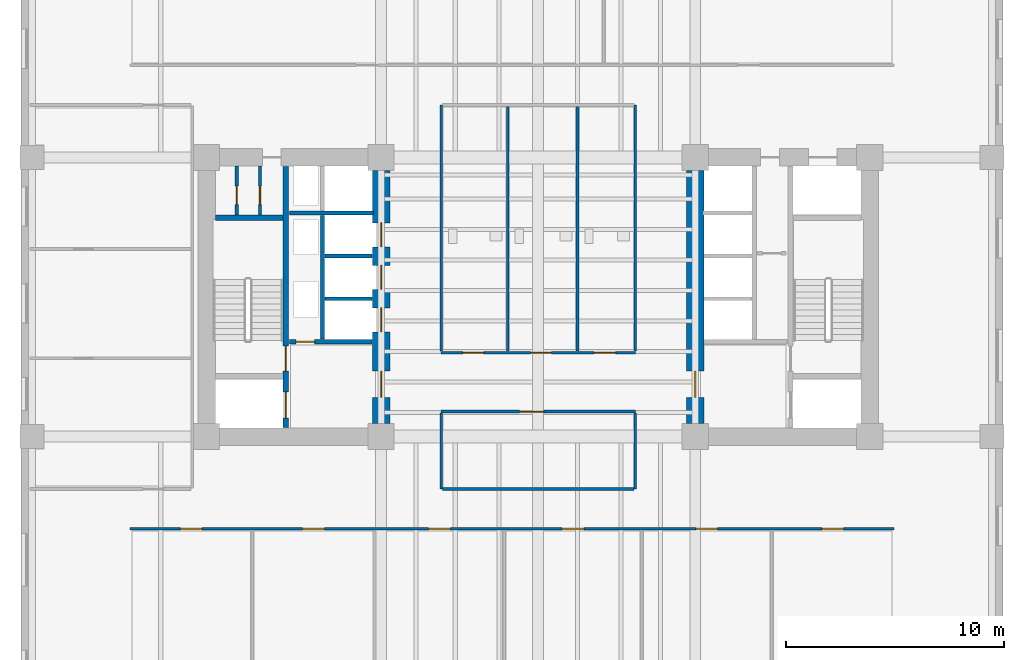
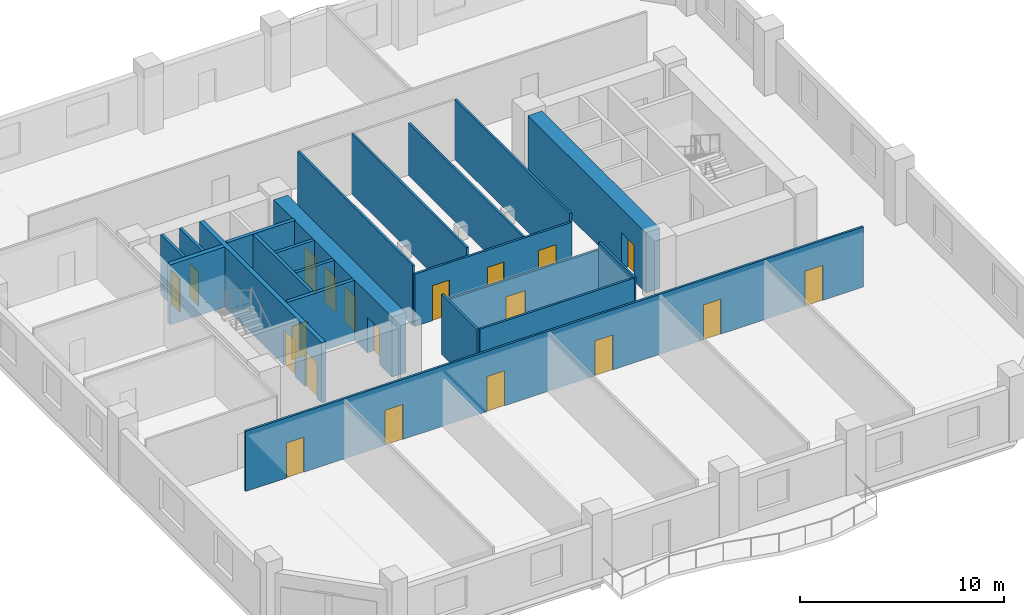
# One storey, part 3 of 10: 21 walls, 20 doors, 20 openings.
"""IFC4 building model written with IfcOpenShell, lengths in metres."""

from ifc_helpers import new_model, si_unit, direction, frame, frame_2d, origin, place, context, subcontext, project, spatial, rectangle, extrude, material, layer, layer_set, type_object, element, fill, save


model = new_model("IFC4")

# Units and contexts
model_context = context("Model", 3, precision=1e-05, world=origin(), true_north=direction((0.0, 1.0)))
body_context = subcontext(model_context, "Body", "Model", "MODEL_VIEW")
ifc_project = project(units=[si_unit("LENGTHUNIT", "METRE"), si_unit("AREAUNIT", "SQUARE_METRE"), si_unit("VOLUMEUNIT", "CUBIC_METRE"), si_unit("PLANEANGLEUNIT", "RADIAN"), si_unit("MASSUNIT", "GRAM", prefix="KILO")], contexts=[model_context])

# Site, building, storey
site_placement = place(None, origin())
site = spatial("IfcSite", under=ifc_project, at=site_placement, CompositionType="ELEMENT")
building_placement = place(site_placement, origin())
building = spatial("IfcBuilding", under=site, at=building_placement, Name="Kranthara Brick Stack", CompositionType="ELEMENT")
storey_placement = place(building_placement, frame((0.0, 0.0, 39.89990234375)))
storey = spatial("IfcBuildingStorey", under=building, at=storey_placement, Name="L09", CompositionType="ELEMENT", Elevation=39.89990234375)

# Wall, openings, doors
ifc_material_1 = material(Name="Concrete C50/60", Category="concrete")
ifc_layer_1 = layer(ifc_material_1, 0.25)
ifc_layer_set_1 = layer_set([ifc_layer_1], Name="Concrete C50/60")
wall_type_1 = type_object("IfcWallType", Name="WL-CORE-250", PredefinedType="SHEAR", material=ifc_layer_set_1)
wall_1_placement = place(storey_placement, frame((16.43505859375, 21.2099609375, 0.0), z_axis=(0.0, 0.0, 1.0), x_axis=(0.0, 1.0, 0.0)))
wall_1 = element("IfcWall", 1, at=wall_1_placement, inside=storey, type_object=wall_type_1, Name="L09 West Core Stair Bearing Spine Wall", PredefinedType="SHEAR", context=body_context, shape_type="SweptSolid", body=[
    extrude(rectangle(XDim=11.97998046875, YDim=0.25, at=frame_2d((5.989990234375, 0.0))), origin(), (0.0, 0.0, 1.0), 3.60009765625),
])
opening_1_placement = place(wall_1_placement, frame((0.43994140625, 0.0, 0.0)))
opening_1 = element("IfcOpeningElement", 2, at=opening_1_placement, cuts=wall_1, Name="Opening LD01", PredefinedType="OPENING", context=body_context, shape_type="SweptSolid", body=[
    extrude(rectangle(XDim=1.199951171875, YDim=2.14990234375, at=frame_2d((0.60009765625, 1.074951171875))), frame((0.0, 0.135009765625, 0.0), z_axis=(0.0, -1.0, 0.0), x_axis=(1.0, 0.0, 0.0)), (0.0, 0.0, 1.0), 0.27001953125),
])
opening_2_placement = place(wall_1_placement, frame((2.590087890625, 0.0, 0.0)))
opening_2 = element("IfcOpeningElement", 3, at=opening_2_placement, cuts=wall_1, Name="Opening D05", PredefinedType="OPENING", context=body_context, shape_type="SweptSolid", body=[
    extrude(rectangle(XDim=1.14990234375, YDim=2.14990234375, at=frame_2d((0.574951171875, 1.074951171875))), frame((0.0, 0.135009765625, 0.0), z_axis=(0.0, -1.0, 0.0), x_axis=(1.0, 0.0, 0.0)), (0.0, 0.0, 1.0), 0.27001953125),
])
ifc_material_2 = material(Name="Stainless steel sliding landing door", Category="steel")
door_type_1 = type_object("IfcDoorType", Name="DR-LD-FF1200", OperationType="DOUBLE_DOOR_SLIDING", PredefinedType="DOOR", material=ifc_material_2)
door_1_placement = place(opening_1_placement, origin())
door_1 = element("IfcDoor", 4, at=door_1_placement, inside=storey, type_object=door_type_1, Name="L09 Firefighting Lift FF-01 Landing Door", OperationType="DOUBLE_DOOR_SLIDING", OverallHeight=2.14990234375, OverallWidth=1.199951171875, PredefinedType="DOOR", context=body_context, shape_type="SweptSolid", body=[
    extrude(rectangle(XDim=1.199951171875, YDim=2.14990234375, at=frame_2d((0.60009765625, 1.074951171875))), frame((0.0, 0.02490234375, 0.0), z_axis=(0.0, -1.0, 0.0), x_axis=(1.0, 0.0, 0.0)), (0.0, 0.0, 1.0), 0.050048828125),
])
fill(opening_1, door_1)
ifc_material_3 = material(Name="Solid-core hardwood timber leaf in steel frame", Category="steel")
door_type_2 = type_object("IfcDoorType", Name="DR-ST-1150", OperationType="NOTDEFINED", PredefinedType="DOOR", material=ifc_material_3)
door_2_placement = place(opening_2_placement, origin())
door_2 = element("IfcDoor", 5, at=door_2_placement, inside=storey, type_object=door_type_2, Name="L09 Exit Stair ST01 Door", OperationType="SINGLE_SWING_RIGHT", OverallHeight=2.14990234375, OverallWidth=1.14990234375, PredefinedType="DOOR", context=body_context, shape_type="SweptSolid", body=[
    extrude(rectangle(XDim=1.14990234375, YDim=2.14990234375, at=frame_2d((0.574951171875, 1.074951171875))), frame((0.0, 0.02490234375, 0.0), z_axis=(0.0, -1.0, 0.0), x_axis=(1.0, 0.0, 0.0)), (0.0, 0.0, 1.0), 0.050048828125),
])
fill(opening_2, door_2)

# Wall
wall_2_placement = place(storey_placement, frame((13.2099609375, 30.830078125, 0.0), z_axis=(0.0, 0.0, 1.0), x_axis=(1.0, 0.0, 0.0)))
element("IfcWall", 6, at=wall_2_placement, inside=storey, type_object=wall_type_1, Name="L09 West Stairwell Bearing Wall WST", PredefinedType="SHEAR", context=body_context, shape_type="SweptSolid", body=[
    extrude(rectangle(XDim=3.10009765625, YDim=0.25, at=frame_2d((1.550048828125, 0.0))), origin(), (0.0, 0.0, 1.0), 3.60009765625),
])

# Wall, openings, doors
ifc_material_4 = material(Name="Concrete C70/85", Category="concrete")
ifc_layer_2 = layer(ifc_material_4, 0.800048828125)
ifc_layer_set_2 = layer_set([ifc_layer_2], Name="Concrete C70/85")
wall_type_2 = type_object("IfcWallType", Name="WL-CORE-800", PredefinedType="SHEAR", material=ifc_layer_set_2)
wall_3_placement = place(storey_placement, frame((20.800048828125, 21.405029296875, 0.0), z_axis=(0.0, 0.0, 1.0), x_axis=(0.0, 1.0, 0.0)))
wall_3 = element("IfcWall", 7, at=wall_3_placement, inside=storey, type_object=wall_type_2, Name="L09 West Core Shear Wall East", PredefinedType="SHEAR", context=body_context, shape_type="SweptSolid", body=[
    extrude(rectangle(XDim=11.590087890625, YDim=0.800048828125, at=frame_2d((5.794921875, 0.0))), origin(), (0.0, 0.0, 1.0), 3.60009765625),
])
opening_3_placement = place(wall_3_placement, frame((1.195068359375, 0.0, 0.0)))
opening_3 = element("IfcOpeningElement", 8, at=opening_3_placement, cuts=wall_3, Name="Opening D06", PredefinedType="OPENING", context=body_context, shape_type="SweptSolid", body=[
    extrude(rectangle(XDim=1.199951171875, YDim=2.14990234375, at=frame_2d((0.60009765625, 1.074951171875))), frame((0.0, 0.409912109375, 0.0), z_axis=(0.0, -1.0, 0.0), x_axis=(1.0, 0.0, 0.0)), (0.0, 0.0, 1.0), 0.820068359375),
])
opening_4_placement = place(wall_3_placement, frame((4.195068359375, 0.0, 0.0)))
opening_4 = element("IfcOpeningElement", 9, at=opening_4_placement, cuts=wall_3, Name="Opening LD02", PredefinedType="OPENING", context=body_context, shape_type="SweptSolid", body=[
    extrude(rectangle(XDim=1.10009765625, YDim=2.10009765625, at=frame_2d((0.550048828125, 1.050048828125))), frame((0.0, 0.409912109375, 0.0), z_axis=(0.0, -1.0, 0.0), x_axis=(1.0, 0.0, 0.0)), (0.0, 0.0, 1.0), 0.820068359375),
])
opening_5_placement = place(wall_3_placement, frame((6.14501953125, 0.0, 0.0)))
opening_5 = element("IfcOpeningElement", 10, at=opening_5_placement, cuts=wall_3, Name="Opening LD02", PredefinedType="OPENING", context=body_context, shape_type="SweptSolid", body=[
    extrude(rectangle(XDim=1.10009765625, YDim=2.10009765625, at=frame_2d((0.550048828125, 1.050048828125))), frame((0.0, 0.409912109375, 0.0), z_axis=(0.0, -1.0, 0.0), x_axis=(1.0, 0.0, 0.0)), (0.0, 0.0, 1.0), 0.820068359375),
])
opening_6_placement = place(wall_3_placement, frame((8.094970703125, 0.0, 0.0)))
opening_6 = element("IfcOpeningElement", 11, at=opening_6_placement, cuts=wall_3, Name="Opening LD02", PredefinedType="OPENING", context=body_context, shape_type="SweptSolid", body=[
    extrude(rectangle(XDim=1.10009765625, YDim=2.10009765625, at=frame_2d((0.550048828125, 1.050048828125))), frame((0.0, 0.409912109375, 0.0), z_axis=(0.0, -1.0, 0.0), x_axis=(1.0, 0.0, 0.0)), (0.0, 0.0, 1.0), 0.820068359375),
])
ifc_material_5 = material(Name="Solid-core hardwood timber leaf in steel frame", Category="steel")
door_type_3 = type_object("IfcDoorType", Name="DR-FFL-1200", OperationType="NOTDEFINED", PredefinedType="DOOR", material=ifc_material_5)
door_3_placement = place(opening_3_placement, origin())
door_3 = element("IfcDoor", 12, at=door_3_placement, inside=storey, type_object=door_type_3, Name="L09 West Firefighting Lobby Door", OperationType="SINGLE_SWING_LEFT", OverallHeight=2.14990234375, OverallWidth=1.199951171875, PredefinedType="DOOR", context=body_context, shape_type="SweptSolid", body=[
    extrude(rectangle(XDim=1.199951171875, YDim=2.14990234375, at=frame_2d((0.60009765625, 1.074951171875))), frame((0.0, 0.02490234375, 0.0), z_axis=(0.0, -1.0, 0.0), x_axis=(1.0, 0.0, 0.0)), (0.0, 0.0, 1.0), 0.050048828125),
])
fill(opening_3, door_3)
ifc_material_6 = material(Name="Stainless steel sliding landing door", Category="steel")
door_type_4 = type_object("IfcDoorType", Name="DR-LD-PL1100", OperationType="DOUBLE_DOOR_SLIDING", PredefinedType="DOOR", material=ifc_material_6)
door_4_placement = place(opening_4_placement, origin())
door_4 = element("IfcDoor", 13, at=door_4_placement, inside=storey, type_object=door_type_4, Name="L09 PL-01 Lift Landing Door", OperationType="DOUBLE_DOOR_SLIDING", OverallHeight=2.10009765625, OverallWidth=1.10009765625, PredefinedType="DOOR", context=body_context, shape_type="SweptSolid", body=[
    extrude(rectangle(XDim=1.10009765625, YDim=2.10009765625, at=frame_2d((0.550048828125, 1.050048828125))), frame((0.0, 0.02490234375, 0.0), z_axis=(0.0, -1.0, 0.0), x_axis=(1.0, 0.0, 0.0)), (0.0, 0.0, 1.0), 0.050048828125),
])
fill(opening_4, door_4)
door_5_placement = place(opening_5_placement, origin())
door_5 = element("IfcDoor", 14, at=door_5_placement, inside=storey, type_object=door_type_4, Name="L09 PL-02 Lift Landing Door", OperationType="DOUBLE_DOOR_SLIDING", OverallHeight=2.10009765625, OverallWidth=1.10009765625, PredefinedType="DOOR", context=body_context, shape_type="SweptSolid", body=[
    extrude(rectangle(XDim=1.10009765625, YDim=2.10009765625, at=frame_2d((0.550048828125, 1.050048828125))), frame((0.0, 0.02490234375, 0.0), z_axis=(0.0, -1.0, 0.0), x_axis=(1.0, 0.0, 0.0)), (0.0, 0.0, 1.0), 0.050048828125),
])
fill(opening_5, door_5)
door_6_placement = place(opening_6_placement, origin())
door_6 = element("IfcDoor", 15, at=door_6_placement, inside=storey, type_object=door_type_4, Name="L09 PL-03 Lift Landing Door", OperationType="DOUBLE_DOOR_SLIDING", OverallHeight=2.10009765625, OverallWidth=1.10009765625, PredefinedType="DOOR", context=body_context, shape_type="SweptSolid", body=[
    extrude(rectangle(XDim=1.10009765625, YDim=2.10009765625, at=frame_2d((0.550048828125, 1.050048828125))), frame((0.0, 0.02490234375, 0.0), z_axis=(0.0, -1.0, 0.0), x_axis=(1.0, 0.0, 0.0)), (0.0, 0.0, 1.0), 0.050048828125),
])
fill(opening_6, door_6)

# Wall, opening, door
wall_4_placement = place(storey_placement, frame((35.199951171875, 21.405029296875, 0.0), z_axis=(0.0, 0.0, 1.0), x_axis=(0.0, 1.0, 0.0)))
wall_4 = element("IfcWall", 16, at=wall_4_placement, inside=storey, type_object=wall_type_2, Name="L09 East Core Shear Wall West", PredefinedType="SHEAR", context=body_context, shape_type="SweptSolid", body=[
    extrude(rectangle(XDim=11.590087890625, YDim=0.800048828125, at=frame_2d((5.794921875, 0.0))), origin(), (0.0, 0.0, 1.0), 3.60009765625),
])
opening_7_placement = place(wall_4_placement, frame((1.195068359375, 0.0, 0.0)))
opening_7 = element("IfcOpeningElement", 17, at=opening_7_placement, cuts=wall_4, Name="Opening D06", PredefinedType="OPENING", context=body_context, shape_type="SweptSolid", body=[
    extrude(rectangle(XDim=1.199951171875, YDim=2.14990234375, at=frame_2d((0.60009765625, 1.074951171875))), frame((0.0, 0.409912109375, 0.0), z_axis=(0.0, -1.0, 0.0), x_axis=(1.0, 0.0, 0.0)), (0.0, 0.0, 1.0), 0.820068359375),
])
door_7_placement = place(opening_7_placement, origin())
door_7 = element("IfcDoor", 18, at=door_7_placement, inside=storey, type_object=door_type_3, Name="L09 East Firefighting Lobby Door", OperationType="SINGLE_SWING_RIGHT", OverallHeight=2.14990234375, OverallWidth=1.199951171875, PredefinedType="DOOR", context=body_context, shape_type="SweptSolid", body=[
    extrude(rectangle(XDim=1.199951171875, YDim=2.14990234375, at=frame_2d((0.60009765625, 1.074951171875))), frame((0.0, 0.02490234375, 0.0), z_axis=(0.0, -1.0, 0.0), x_axis=(1.0, 0.0, 0.0)), (0.0, 0.0, 1.0), 0.050048828125),
])
fill(opening_7, door_7)

# Wall, openings, doors
ifc_material_7 = material(Name="Acoustic gypsum plasterboard partition", Category="other")
ifc_layer_3 = layer(ifc_material_7, 0.1201171875)
ifc_layer_set_3 = layer_set([ifc_layer_3], Name="Acoustic gypsum plasterboard partition")
wall_type_3 = type_object("IfcWallType", Name="WL-PART-120", PredefinedType="PARTITIONING", material=ifc_layer_set_3)
wall_5_placement = place(storey_placement, frame((23.550048828125, 24.64990234375, 0.0), z_axis=(0.0, 0.0, 1.0), x_axis=(1.0, 0.0, 0.0)))
wall_5 = element("IfcWall", 19, at=wall_5_placement, inside=storey, type_object=wall_type_3, Name="L09 Interior Partition 004", PredefinedType="PARTITIONING", context=body_context, shape_type="SweptSolid", body=[
    extrude(rectangle(XDim=8.89990234375, YDim=0.1201171875, at=frame_2d((4.449951171875, 0.0))), origin(), (0.0, 0.0, 1.0), 3.135009765625),
])
opening_8_placement = place(wall_5_placement, frame((1.0, 0.0, 0.0)))
opening_8 = element("IfcOpeningElement", 20, at=opening_8_placement, cuts=wall_5, Name="Opening D14", PredefinedType="OPENING", context=body_context, shape_type="SweptSolid", body=[
    extrude(rectangle(XDim=0.949951171875, YDim=2.10009765625, at=frame_2d((0.47509765625, 1.050048828125))), frame((0.0, 0.070068359375, 0.0), z_axis=(0.0, -1.0, 0.0), x_axis=(1.0, 0.0, 0.0)), (0.0, 0.0, 1.0), 0.14013671875),
])
opening_9_placement = place(wall_5_placement, frame((4.10009765625, 0.0, 0.0)))
opening_9 = element("IfcOpeningElement", 21, at=opening_9_placement, cuts=wall_5, Name="Opening D14", PredefinedType="OPENING", context=body_context, shape_type="SweptSolid", body=[
    extrude(rectangle(XDim=0.949951171875, YDim=2.10009765625, at=frame_2d((0.47509765625, 1.050048828125))), frame((0.0, 0.070068359375, 0.0), z_axis=(0.0, -1.0, 0.0), x_axis=(1.0, 0.0, 0.0)), (0.0, 0.0, 1.0), 0.14013671875),
])
opening_10_placement = place(wall_5_placement, frame((7.0, 0.0, 0.0)))
opening_10 = element("IfcOpeningElement", 22, at=opening_10_placement, cuts=wall_5, Name="Opening D18", PredefinedType="OPENING", context=body_context, shape_type="SweptSolid", body=[
    extrude(rectangle(XDim=1.0, YDim=2.10009765625, at=frame_2d((0.5, 1.050048828125))), frame((0.0, 0.070068359375, 0.0), z_axis=(0.0, -1.0, 0.0), x_axis=(1.0, 0.0, 0.0)), (0.0, 0.0, 1.0), 0.14013671875),
])
ifc_material_8 = material(Name="Solid-core hardwood timber leaf in steel frame", Category="steel")
door_type_5 = type_object("IfcDoorType", Name="DR-ACC-1000", OperationType="NOTDEFINED", PredefinedType="DOOR", material=ifc_material_8)
door_8_placement = place(opening_10_placement, origin())
door_8 = element("IfcDoor", 23, at=door_8_placement, inside=storey, type_object=door_type_5, Name="L09 Accessible WC Door 06", OperationType="SINGLE_SWING_RIGHT", OverallHeight=2.10009765625, OverallWidth=1.0, PredefinedType="DOOR", context=body_context, shape_type="SweptSolid", body=[
    extrude(rectangle(XDim=1.0, YDim=2.10009765625, at=frame_2d((0.5, 1.050048828125))), frame((0.0, 0.02490234375, 0.0), z_axis=(0.0, -1.0, 0.0), x_axis=(1.0, 0.0, 0.0)), (0.0, 0.0, 1.0), 0.050048828125),
])
fill(opening_10, door_8)
ifc_material_9 = material(Name="Solid-core hardwood timber leaf in steel frame", Category="steel")
door_type_6 = type_object("IfcDoorType", Name="DR-INT-950", OperationType="NOTDEFINED", PredefinedType="DOOR", material=ifc_material_9)
door_9_placement = place(opening_8_placement, origin())
door_9 = element("IfcDoor", 24, at=door_9_placement, inside=storey, type_object=door_type_6, Name="L09 Male WC Door 04", OperationType="SINGLE_SWING_RIGHT", OverallHeight=2.10009765625, OverallWidth=0.949951171875, PredefinedType="DOOR", context=body_context, shape_type="SweptSolid", body=[
    extrude(rectangle(XDim=0.949951171875, YDim=2.10009765625, at=frame_2d((0.47509765625, 1.050048828125))), frame((0.0, 0.02490234375, 0.0), z_axis=(0.0, -1.0, 0.0), x_axis=(1.0, 0.0, 0.0)), (0.0, 0.0, 1.0), 0.050048828125),
])
fill(opening_8, door_9)
door_10_placement = place(opening_9_placement, origin())
door_10 = element("IfcDoor", 25, at=door_10_placement, inside=storey, type_object=door_type_6, Name="L09 Female WC Door 05", OperationType="SINGLE_SWING_LEFT", OverallHeight=2.10009765625, OverallWidth=0.949951171875, PredefinedType="DOOR", context=body_context, shape_type="SweptSolid", body=[
    extrude(rectangle(XDim=0.949951171875, YDim=2.10009765625, at=frame_2d((0.47509765625, 1.050048828125))), frame((0.0, 0.02490234375, 0.0), z_axis=(0.0, -1.0, 0.0), x_axis=(1.0, 0.0, 0.0)), (0.0, 0.0, 1.0), 0.050048828125),
])
fill(opening_9, door_10)

# Walls
for number, where, z_axis, x_axis, name in (
    (26, (23.550048828125, 24.715087890625, 0.0), (0.0, 0.0, 1.0), (0.0, 1.0, 0.0), "L09 Interior Partition 005"),
    (27, (32.449951171875, 24.715087890625, 0.0), (0.0, 0.0, 1.0), (0.0, 1.0, 0.0), "L09 Interior Partition 006"),
    (28, (26.60009765625, 24.715087890625, 0.0), (0.0, 0.0, 1.0), (0.0, 1.0, 0.0), "L09 Interior Partition 007"),
):
    element("IfcWall", number, at=place(storey_placement, frame(where, z_axis=z_axis, x_axis=x_axis)), inside=storey, type_object=wall_type_3, Name=name, PredefinedType="PARTITIONING", context=body_context, shape_type="SweptSolid", body=[
        extrude(rectangle(XDim=11.284912109375, YDim=0.1201171875, at=frame_2d((5.642578125, 0.0))), origin(), (0.0, 0.0, 1.0), 3.60009765625),
    ])
wall_6_placement = place(storey_placement, frame((29.800048828125, 24.715087890625, 0.0), z_axis=(0.0, 0.0, 1.0), x_axis=(0.0, 1.0, 0.0)))
element("IfcWall", 29, at=wall_6_placement, inside=storey, type_object=wall_type_3, Name="L09 Interior Partition 008", PredefinedType="PARTITIONING", context=body_context, shape_type="SweptSolid", body=[
    extrude(rectangle(XDim=11.284912109375, YDim=0.1201171875, at=frame_2d((5.642578125, 0.0))), origin(), (0.0, 0.0, 1.0), 3.135009765625),
])

# Wall, opening, door
wall_7_placement = place(storey_placement, frame((23.550048828125, 21.949951171875, 0.0), z_axis=(0.0, 0.0, 1.0), x_axis=(1.0, 0.0, 0.0)))
wall_7 = element("IfcWall", 30, at=wall_7_placement, inside=storey, type_object=wall_type_3, Name="L09 Interior Partition 010", PredefinedType="PARTITIONING", context=body_context, shape_type="SweptSolid", body=[
    extrude(rectangle(XDim=8.89990234375, YDim=0.1201171875, at=frame_2d((4.449951171875, 0.0))), origin(), (0.0, 0.0, 1.0), 3.135009765625),
])
opening_11_placement = place(wall_7_placement, frame((3.60009765625, 0.0, 0.0)))
opening_11 = element("IfcOpeningElement", 31, at=opening_11_placement, cuts=wall_7, Name="Opening D11", PredefinedType="OPENING", context=body_context, shape_type="SweptSolid", body=[
    extrude(rectangle(XDim=1.10009765625, YDim=2.14990234375, at=frame_2d((0.550048828125, 1.074951171875))), frame((0.0, 0.070068359375, 0.0), z_axis=(0.0, -1.0, 0.0), x_axis=(1.0, 0.0, 0.0)), (0.0, 0.0, 1.0), 0.14013671875),
])
ifc_material_10 = material(Name="Solid-core hardwood timber leaf in steel frame", Category="steel")
door_type_7 = type_object("IfcDoorType", Name="DR-INT-1100", OperationType="NOTDEFINED", PredefinedType="DOOR", material=ifc_material_10)
door_11_placement = place(opening_11_placement, origin())
door_11 = element("IfcDoor", 32, at=door_11_placement, inside=storey, type_object=door_type_7, Name="L09 Internal Briefing Room 07", OperationType="SINGLE_SWING_LEFT", OverallHeight=2.14990234375, OverallWidth=1.10009765625, PredefinedType="DOOR", context=body_context, shape_type="SweptSolid", body=[
    extrude(rectangle(XDim=1.10009765625, YDim=2.14990234375, at=frame_2d((0.550048828125, 1.074951171875))), frame((0.0, 0.02490234375, 0.0), z_axis=(0.0, -1.0, 0.0), x_axis=(1.0, 0.0, 0.0)), (0.0, 0.0, 1.0), 0.050048828125),
])
fill(opening_11, door_11)

# Walls
for number, where, z_axis, x_axis, name in (
    (33, (23.550048828125, 18.39990234375, 0.0), (0.0, 0.0, 1.0), (0.0, 1.0, 0.0), "L09 Interior Partition 011"),
    (34, (32.449951171875, 18.39990234375, 0.0), (0.0, 0.0, 1.0), (0.0, 1.0, 0.0), "L09 Interior Partition 012"),
):
    element("IfcWall", number, at=place(storey_placement, frame(where, z_axis=z_axis, x_axis=x_axis)), inside=storey, type_object=wall_type_3, Name=name, PredefinedType="PARTITIONING", context=body_context, shape_type="SweptSolid", body=[
        extrude(rectangle(XDim=3.485107421875, YDim=0.1201171875, at=frame_2d((1.74267578125, 0.0))), origin(), (0.0, 0.0, 1.0), 3.60009765625),
    ])
wall_8_placement = place(storey_placement, frame((23.614990234375, 18.39990234375, 0.0), z_axis=(0.0, 0.0, 1.0), x_axis=(1.0, 0.0, 0.0)))
element("IfcWall", 35, at=wall_8_placement, inside=storey, type_object=wall_type_3, Name="L09 Interior Partition 013", PredefinedType="PARTITIONING", context=body_context, shape_type="SweptSolid", body=[
    extrude(rectangle(XDim=8.77001953125, YDim=0.1201171875, at=frame_2d((4.385009765625, 0.0))), origin(), (0.0, 0.0, 1.0), 3.60009765625),
])

# Wall, openings, doors
wall_9_placement = place(storey_placement, frame((9.300048828125, 16.580078125, 0.0), z_axis=(0.0, 0.0, 1.0), x_axis=(1.0, 0.0, 0.0)))
wall_9 = element("IfcWall", 36, at=wall_9_placement, inside=storey, type_object=wall_type_3, Name="L09 Interior Partition 014", PredefinedType="PARTITIONING", context=body_context, shape_type="SweptSolid", body=[
    extrude(rectangle(XDim=35.0, YDim=0.1201171875, at=frame_2d((17.5, 0.0))), origin(), (0.0, 0.0, 1.0), 3.60009765625),
])
opening_12_placement = place(wall_9_placement, frame((2.300048828125, 0.0, 0.0)))
opening_12 = element("IfcOpeningElement", 37, at=opening_12_placement, cuts=wall_9, Name="Opening D13", PredefinedType="OPENING", context=body_context, shape_type="SweptSolid", body=[
    extrude(rectangle(XDim=1.0, YDim=2.10009765625, at=frame_2d((0.5, 1.050048828125))), frame((0.0, 0.070068359375, 0.0), z_axis=(0.0, -1.0, 0.0), x_axis=(1.0, 0.0, 0.0)), (0.0, 0.0, 1.0), 0.14013671875),
])
opening_13_placement = place(wall_9_placement, frame((7.89990234375, 0.0, 0.0)))
opening_13 = element("IfcOpeningElement", 38, at=opening_13_placement, cuts=wall_9, Name="Opening D13", PredefinedType="OPENING", context=body_context, shape_type="SweptSolid", body=[
    extrude(rectangle(XDim=1.0, YDim=2.10009765625, at=frame_2d((0.5, 1.050048828125))), frame((0.0, 0.070068359375, 0.0), z_axis=(0.0, -1.0, 0.0), x_axis=(1.0, 0.0, 0.0)), (0.0, 0.0, 1.0), 0.14013671875),
])
opening_14_placement = place(wall_9_placement, frame((13.675048828125, 0.0, 0.0)))
opening_14 = element("IfcOpeningElement", 39, at=opening_14_placement, cuts=wall_9, Name="Opening D13", PredefinedType="OPENING", context=body_context, shape_type="SweptSolid", body=[
    extrude(rectangle(XDim=1.0, YDim=2.10009765625, at=frame_2d((0.5, 1.050048828125))), frame((0.0, 0.070068359375, 0.0), z_axis=(0.0, -1.0, 0.0), x_axis=(1.0, 0.0, 0.0)), (0.0, 0.0, 1.0), 0.14013671875),
])
opening_15_placement = place(wall_9_placement, frame((19.800048828125, 0.0, 0.0)))
opening_15 = element("IfcOpeningElement", 40, at=opening_15_placement, cuts=wall_9, Name="Opening D13", PredefinedType="OPENING", context=body_context, shape_type="SweptSolid", body=[
    extrude(rectangle(XDim=1.0, YDim=2.10009765625, at=frame_2d((0.5, 1.050048828125))), frame((0.0, 0.070068359375, 0.0), z_axis=(0.0, -1.0, 0.0), x_axis=(1.0, 0.0, 0.0)), (0.0, 0.0, 1.0), 0.14013671875),
])
opening_16_placement = place(wall_9_placement, frame((25.925048828125, 0.0, 0.0)))
opening_16 = element("IfcOpeningElement", 41, at=opening_16_placement, cuts=wall_9, Name="Opening D13", PredefinedType="OPENING", context=body_context, shape_type="SweptSolid", body=[
    extrude(rectangle(XDim=1.0, YDim=2.10009765625, at=frame_2d((0.5, 1.050048828125))), frame((0.0, 0.070068359375, 0.0), z_axis=(0.0, -1.0, 0.0), x_axis=(1.0, 0.0, 0.0)), (0.0, 0.0, 1.0), 0.14013671875),
])
opening_17_placement = place(wall_9_placement, frame((31.699951171875, 0.0, 0.0)))
opening_17 = element("IfcOpeningElement", 42, at=opening_17_placement, cuts=wall_9, Name="Opening D13", PredefinedType="OPENING", context=body_context, shape_type="SweptSolid", body=[
    extrude(rectangle(XDim=1.0, YDim=2.10009765625, at=frame_2d((0.5, 1.050048828125))), frame((0.0, 0.070068359375, 0.0), z_axis=(0.0, -1.0, 0.0), x_axis=(1.0, 0.0, 0.0)), (0.0, 0.0, 1.0), 0.14013671875),
])
ifc_material_11 = material(Name="Solid-core hardwood timber leaf in steel frame", Category="steel")
door_type_8 = type_object("IfcDoorType", Name="DR-INT-1000", OperationType="NOTDEFINED", PredefinedType="DOOR", material=ifc_material_11)
door_12_placement = place(opening_12_placement, origin())
door_12 = element("IfcDoor", 43, at=door_12_placement, inside=storey, type_object=door_type_8, Name="L09 Executive Cellular Office 08", OperationType="SINGLE_SWING_RIGHT", OverallHeight=2.10009765625, OverallWidth=1.0, PredefinedType="DOOR", context=body_context, shape_type="SweptSolid", body=[
    extrude(rectangle(XDim=1.0, YDim=2.10009765625, at=frame_2d((0.5, 1.050048828125))), frame((0.0, 0.02490234375, 0.0), z_axis=(0.0, -1.0, 0.0), x_axis=(1.0, 0.0, 0.0)), (0.0, 0.0, 1.0), 0.050048828125),
])
fill(opening_12, door_12)
door_13_placement = place(opening_13_placement, origin())
door_13 = element("IfcDoor", 44, at=door_13_placement, inside=storey, type_object=door_type_8, Name="L09 Executive Cellular Office 09", OperationType="SINGLE_SWING_LEFT", OverallHeight=2.10009765625, OverallWidth=1.0, PredefinedType="DOOR", context=body_context, shape_type="SweptSolid", body=[
    extrude(rectangle(XDim=1.0, YDim=2.10009765625, at=frame_2d((0.5, 1.050048828125))), frame((0.0, 0.02490234375, 0.0), z_axis=(0.0, -1.0, 0.0), x_axis=(1.0, 0.0, 0.0)), (0.0, 0.0, 1.0), 0.050048828125),
])
fill(opening_13, door_13)
door_14_placement = place(opening_14_placement, origin())
door_14 = element("IfcDoor", 45, at=door_14_placement, inside=storey, type_object=door_type_8, Name="L09 Meeting Room 10", OperationType="SINGLE_SWING_RIGHT", OverallHeight=2.10009765625, OverallWidth=1.0, PredefinedType="DOOR", context=body_context, shape_type="SweptSolid", body=[
    extrude(rectangle(XDim=1.0, YDim=2.10009765625, at=frame_2d((0.5, 1.050048828125))), frame((0.0, 0.02490234375, 0.0), z_axis=(0.0, -1.0, 0.0), x_axis=(1.0, 0.0, 0.0)), (0.0, 0.0, 1.0), 0.050048828125),
])
fill(opening_14, door_14)
door_15_placement = place(opening_15_placement, origin())
door_15 = element("IfcDoor", 46, at=door_15_placement, inside=storey, type_object=door_type_8, Name="L09 Meeting Room 11", OperationType="SINGLE_SWING_LEFT", OverallHeight=2.10009765625, OverallWidth=1.0, PredefinedType="DOOR", context=body_context, shape_type="SweptSolid", body=[
    extrude(rectangle(XDim=1.0, YDim=2.10009765625, at=frame_2d((0.5, 1.050048828125))), frame((0.0, 0.02490234375, 0.0), z_axis=(0.0, -1.0, 0.0), x_axis=(1.0, 0.0, 0.0)), (0.0, 0.0, 1.0), 0.050048828125),
])
fill(opening_15, door_15)
door_16_placement = place(opening_16_placement, origin())
door_16 = element("IfcDoor", 47, at=door_16_placement, inside=storey, type_object=door_type_8, Name="L09 Meeting Room 12", OperationType="SINGLE_SWING_RIGHT", OverallHeight=2.10009765625, OverallWidth=1.0, PredefinedType="DOOR", context=body_context, shape_type="SweptSolid", body=[
    extrude(rectangle(XDim=1.0, YDim=2.10009765625, at=frame_2d((0.5, 1.050048828125))), frame((0.0, 0.02490234375, 0.0), z_axis=(0.0, -1.0, 0.0), x_axis=(1.0, 0.0, 0.0)), (0.0, 0.0, 1.0), 0.050048828125),
])
fill(opening_16, door_16)
door_17_placement = place(opening_17_placement, origin())
door_17 = element("IfcDoor", 48, at=door_17_placement, inside=storey, type_object=door_type_8, Name="L09 Boardroom 13", OperationType="SINGLE_SWING_LEFT", OverallHeight=2.10009765625, OverallWidth=1.0, PredefinedType="DOOR", context=body_context, shape_type="SweptSolid", body=[
    extrude(rectangle(XDim=1.0, YDim=2.10009765625, at=frame_2d((0.5, 1.050048828125))), frame((0.0, 0.02490234375, 0.0), z_axis=(0.0, -1.0, 0.0), x_axis=(1.0, 0.0, 0.0)), (0.0, 0.0, 1.0), 0.050048828125),
])
fill(opening_17, door_17)

# Wall, opening, door
ifc_material_12 = material(Name="Fire-rated gypsum board partition", Category="other")
ifc_layer_4 = layer(ifc_material_12, 0.14990234375)
ifc_layer_set_4 = layer_set([ifc_layer_4], Name="Fire-rated gypsum board partition")
wall_type_4 = type_object("IfcWallType", Name="WL-PART-150", PredefinedType="PARTITIONING", material=ifc_layer_set_4)
wall_10_placement = place(storey_placement, frame((14.179931640625, 30.9599609375, 0.0), z_axis=(0.0, 0.0, 1.0), x_axis=(0.0, 1.0, 0.0)))
wall_10 = element("IfcWall", 49, at=wall_10_placement, inside=storey, type_object=wall_type_4, Name="L09 Interior Partition 001", PredefinedType="PARTITIONING", context=body_context, shape_type="SweptSolid", body=[
    extrude(rectangle(XDim=2.235107421875, YDim=0.14990234375, at=frame_2d((1.11767578125, 0.0))), origin(), (0.0, 0.0, 1.0), 3.60009765625),
])
opening_18_placement = place(wall_10_placement, frame((0.469970703125, 0.0, 0.0)))
opening_18 = element("IfcOpeningElement", 50, at=opening_18_placement, cuts=wall_10, Name="Opening D10", PredefinedType="OPENING", context=body_context, shape_type="SweptSolid", body=[
    extrude(rectangle(XDim=0.85009765625, YDim=2.02001953125, at=frame_2d((0.425048828125, 1.010009765625))), frame((0.0, 0.0849609375, 0.0), z_axis=(0.0, -1.0, 0.0), x_axis=(1.0, 0.0, 0.0)), (0.0, 0.0, 1.0), 0.169921875),
])
ifc_material_13 = material(Name="Solid-core hardwood timber leaf in steel frame", Category="steel")
door_type_9 = type_object("IfcDoorType", Name="DR-RSR-850", OperationType="NOTDEFINED", PredefinedType="DOOR", material=ifc_material_13)
door_18_placement = place(opening_18_placement, origin())
door_18 = element("IfcDoor", 51, at=door_18_placement, inside=storey, type_object=door_type_9, Name="L09 Riser Door A 01", OperationType="SINGLE_SWING_LEFT", OverallHeight=2.02001953125, OverallWidth=0.85009765625, PredefinedType="DOOR", context=body_context, shape_type="SweptSolid", body=[
    extrude(rectangle(XDim=0.85009765625, YDim=2.02001953125, at=frame_2d((0.425048828125, 1.010009765625))), frame((0.0, 0.02490234375, 0.0), z_axis=(0.0, -1.0, 0.0), x_axis=(1.0, 0.0, 0.0)), (0.0, 0.0, 1.0), 0.050048828125),
])
fill(opening_18, door_18)

wall_11_placement = place(storey_placement, frame((15.25, 30.9599609375, 0.0), z_axis=(0.0, 0.0, 1.0), x_axis=(0.0, 1.0, 0.0)))
wall_11 = element("IfcWall", 52, at=wall_11_placement, inside=storey, type_object=wall_type_4, Name="L09 Interior Partition 002", PredefinedType="PARTITIONING", context=body_context, shape_type="SweptSolid", body=[
    extrude(rectangle(XDim=2.235107421875, YDim=0.14990234375, at=frame_2d((1.11767578125, 0.0))), origin(), (0.0, 0.0, 1.0), 3.60009765625),
])
opening_19_placement = place(wall_11_placement, frame((0.469970703125, 0.0, 0.0)))
opening_19 = element("IfcOpeningElement", 53, at=opening_19_placement, cuts=wall_11, Name="Opening D10", PredefinedType="OPENING", context=body_context, shape_type="SweptSolid", body=[
    extrude(rectangle(XDim=0.85009765625, YDim=2.02001953125, at=frame_2d((0.425048828125, 1.010009765625))), frame((0.0, 0.0849609375, 0.0), z_axis=(0.0, -1.0, 0.0), x_axis=(1.0, 0.0, 0.0)), (0.0, 0.0, 1.0), 0.169921875),
])
door_19_placement = place(opening_19_placement, origin())
door_19 = element("IfcDoor", 54, at=door_19_placement, inside=storey, type_object=door_type_9, Name="L09 Riser Door B 02", OperationType="SINGLE_SWING_RIGHT", OverallHeight=2.02001953125, OverallWidth=0.85009765625, PredefinedType="DOOR", context=body_context, shape_type="SweptSolid", body=[
    extrude(rectangle(XDim=0.85009765625, YDim=2.02001953125, at=frame_2d((0.425048828125, 1.010009765625))), frame((0.0, 0.02490234375, 0.0), z_axis=(0.0, -1.0, 0.0), x_axis=(1.0, 0.0, 0.0)), (0.0, 0.0, 1.0), 0.050048828125),
])
fill(opening_19, door_19)

# Walls
ifc_material_14 = material(Name="Gypsum plasterboard on acoustic twin stud", Category="other")
ifc_layer_5 = layer(ifc_material_14, 0.179931640625)
ifc_layer_set_5 = layer_set([ifc_layer_5], Name="Gypsum plasterboard on acoustic twin stud")
wall_type_5 = type_object("IfcWallType", Name="WL-PART-180", PredefinedType="PARTITIONING", material=ifc_layer_set_5)
wall_12_placement = place(storey_placement, frame((18.1201171875, 25.27001953125, 0.0), z_axis=(0.0, 0.0, 1.0), x_axis=(0.0, 1.0, 0.0)))
element("IfcWall", 55, at=wall_12_placement, inside=storey, type_object=wall_type_5, Name="L09 West Hoistway Wall WBK", PredefinedType="PARTITIONING", context=body_context, shape_type="SweptSolid", body=[
    extrude(rectangle(XDim=5.659912109375, YDim=0.179931640625, at=frame_2d((2.830078125, 0.0))), origin(), (0.0, 0.0, 1.0), 3.60009765625),
])
for number, where, z_axis, x_axis, name in (
    (56, (18.219970703125, 27.1201171875, 0.0), (0.0, 0.0, 1.0), (1.0, 0.0, 0.0), "L09 West Hoistway Wall WH1"),
    (57, (18.219970703125, 29.080078125, 0.0), (0.0, 0.0, 1.0), (1.0, 0.0, 0.0), "L09 West Hoistway Wall WH2"),
):
    element("IfcWall", number, at=place(storey_placement, frame(where, z_axis=z_axis, x_axis=x_axis)), inside=storey, type_object=wall_type_5, Name=name, PredefinedType="PARTITIONING", context=body_context, shape_type="SweptSolid", body=[
        extrude(rectangle(XDim=2.169921875, YDim=0.179931640625, at=frame_2d((1.0849609375, 0.0))), origin(), (0.0, 0.0, 1.0), 3.60009765625),
    ])

# Wall, opening, door
ifc_material_15 = material(Name="Concrete C40/50", Category="concrete")
ifc_layer_6 = layer(ifc_material_15, 0.199951171875)
ifc_layer_set_6 = layer_set([ifc_layer_6], Name="Concrete C40/50")
wall_type_6 = type_object("IfcWallType", Name="WL-PART-200", PredefinedType="SOLIDWALL", material=ifc_layer_set_6)
wall_13_placement = place(storey_placement, frame((16.60009765625, 25.14990234375, 0.0), z_axis=(0.0, 0.0, 1.0), x_axis=(1.0, 0.0, 0.0)))
wall_13 = element("IfcWall", 58, at=wall_13_placement, inside=storey, type_object=wall_type_6, Name="L09 West Core Cross Wall WFL", PredefinedType="SOLIDWALL", context=body_context, shape_type="SweptSolid", body=[
    extrude(rectangle(XDim=3.789794921875, YDim=0.199951171875, at=frame_2d((1.89501953125, 0.0))), origin(), (0.0, 0.0, 1.0), 3.60009765625),
])
opening_20_placement = place(wall_13_placement, frame((0.300048828125, 0.0, 0.0)))
opening_20 = element("IfcOpeningElement", 59, at=opening_20_placement, cuts=wall_13, Name="Opening D10", PredefinedType="OPENING", context=body_context, shape_type="SweptSolid", body=[
    extrude(rectangle(XDim=0.85009765625, YDim=2.02001953125, at=frame_2d((0.425048828125, 1.010009765625))), frame((0.0, 0.10986328125, 0.0), z_axis=(0.0, -1.0, 0.0), x_axis=(1.0, 0.0, 0.0)), (0.0, 0.0, 1.0), 0.219970703125),
])
door_20_placement = place(opening_20_placement, origin())
door_20 = element("IfcDoor", 60, at=door_20_placement, inside=storey, type_object=door_type_9, Name="L09 Mechanical Riser Access Door", OperationType="SINGLE_SWING_LEFT", OverallHeight=2.02001953125, OverallWidth=0.85009765625, PredefinedType="DOOR", context=body_context, shape_type="SweptSolid", body=[
    extrude(rectangle(XDim=0.85009765625, YDim=2.02001953125, at=frame_2d((0.425048828125, 1.010009765625))), frame((0.0, 0.02490234375, 0.0), z_axis=(0.0, -1.0, 0.0), x_axis=(1.0, 0.0, 0.0)), (0.0, 0.0, 1.0), 0.050048828125),
])
fill(opening_20, door_20)

# Wall
wall_14_placement = place(storey_placement, frame((16.60009765625, 31.050048828125, 0.0), z_axis=(0.0, 0.0, 1.0), x_axis=(1.0, 0.0, 0.0)))
element("IfcWall", 61, at=wall_14_placement, inside=storey, type_object=wall_type_6, Name="L09 West Core Cross Wall WH4", PredefinedType="SOLIDWALL", context=body_context, shape_type="SweptSolid", body=[
    extrude(rectangle(XDim=3.849853515625, YDim=0.199951171875, at=frame_2d((1.9248046875, 0.0))), origin(), (0.0, 0.0, 1.0), 3.60009765625),
])

save(model, "model.ifc")
